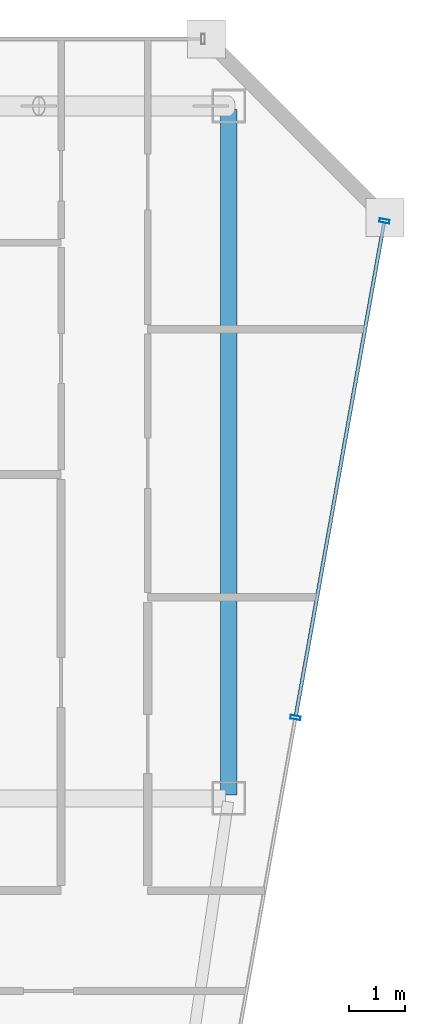
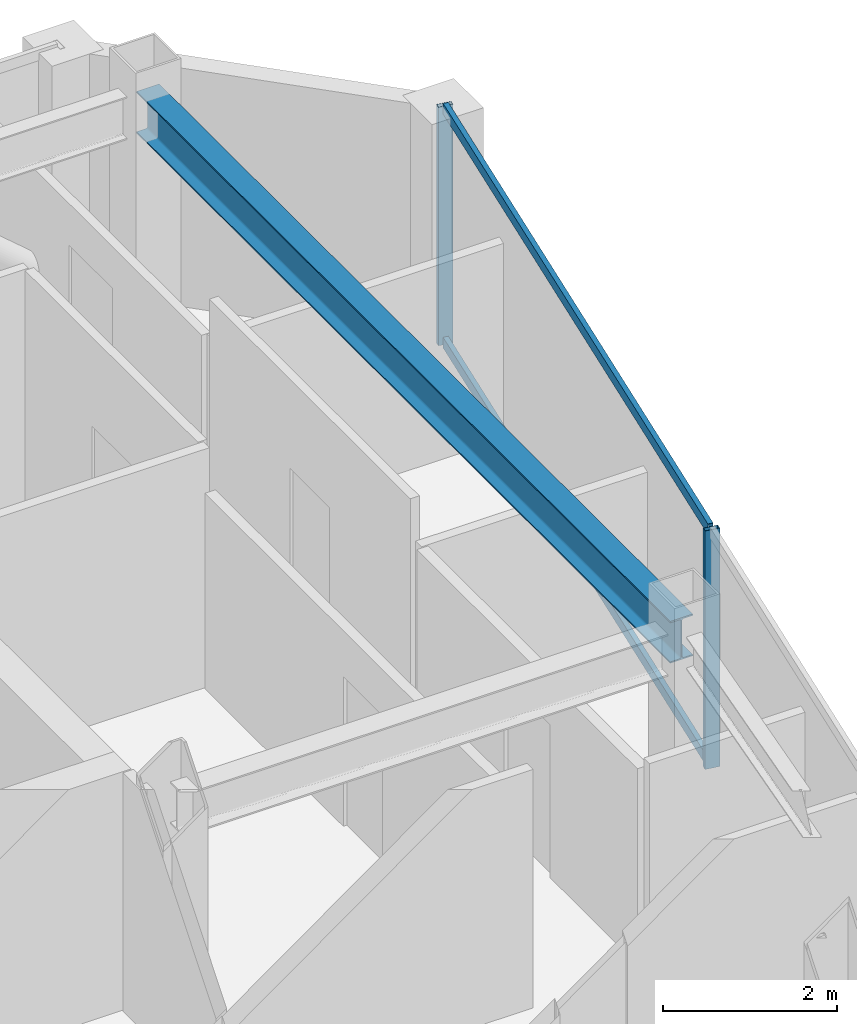
# One storey, part 17 of 30: 4 members, 1 beam, 1 element without a shape of its own.
"""IFC4 building model written with IfcOpenShell, lengths in metres."""

from ifc_helpers import new_model, si_unit, direction, frame, origin, origin_2d, place, context, subcontext, project, spatial, hollow_rectangle, i_section, extrude, material, material_profile, profile_set, type_object, element, aggregate, save


model = new_model("IFC4")

# Units and contexts
model_context = context("Model", 3, precision=1e-05, world=origin(), true_north=direction((0.0, 1.0)))
body_context = subcontext(model_context, "Body", "Model", "MODEL_VIEW")
ifc_project = project(units=[si_unit("LENGTHUNIT", "METRE"), si_unit("AREAUNIT", "SQUARE_METRE"), si_unit("VOLUMEUNIT", "CUBIC_METRE"), si_unit("PLANEANGLEUNIT", "RADIAN"), si_unit("MASSUNIT", "GRAM", prefix="KILO")], contexts=[model_context])

# Site, building, storey
site_placement = place(None, origin())
site = spatial("IfcSite", under=ifc_project, at=site_placement, CompositionType="ELEMENT")
building_placement = place(site_placement, origin())
building = spatial("IfcBuilding", under=site, at=building_placement, Name="Saevonmaru Cultural Tower", CompositionType="ELEMENT")
storey_placement = place(building_placement, frame((0.0, 0.0, 272.39990234375)))
storey = spatial("IfcBuildingStorey", under=building, at=storey_placement, Name="L64", CompositionType="ELEMENT", Elevation=272.39990234375)

# Beam
ifc_material_1 = material(Name="Steel SM355", Category="steel")
ifc_material_profile_1 = material_profile(ifc_material_1, i_section(OverallWidth=0.300048828125, OverallDepth=0.587890625, WebThickness=0.011962890625, FlangeThickness=0.02001953125, FilletRadius=0.02392578125, at=origin_2d()), Name="H-588x300x12x20")
ifc_profile_set_1 = profile_set([ifc_material_profile_1], Name="Steel SM355")
beam_type = type_object("IfcBeamType", Name="BM-G-H588", PredefinedType="BEAM", material=ifc_profile_set_1)
beam_placement = place(storey_placement, frame((53.199951171875, 54.739990234375, 3.05615234375), z_axis=(0.0, -1.0, 0.0), x_axis=(1.0, 0.0, 0.0)))
element("IfcBeam", 1, at=beam_placement, inside=storey, type_object=beam_type, Name="L64 Spine Transverse Girder E", PredefinedType="BEAM", context=body_context, shape_type="SweptSolid", body=[
    extrude(i_section(OverallWidth=0.300048828125, OverallDepth=0.587890625, WebThickness=0.011962890625, FlangeThickness=0.02001953125, FilletRadius=0.02392578125, at=origin_2d()), origin(), (0.0, 0.0, 1.0), 12.280029296875),
])

# Curtain wall, members
ifc_material_2 = material(Name="Satin Bronze Anodised Aluminium", Category="aluminium")
curtain_wall_type = type_object("IfcCurtainWallType", Name="CW-TYP-B", PredefinedType="NOTDEFINED", material=ifc_material_2)
curtain_wall_placement = place(storey_placement, origin())
curtain_wall = element("IfcCurtainWall", 2, at=curtain_wall_placement, inside=storey, type_object=curtain_wall_type, Name="L64 Unitised Curtain Wall E8", PredefinedType="NOTDEFINED")
ifc_material_profile_2 = material_profile(ifc_material_2, hollow_rectangle(XDim=0.06494140625, YDim=0.179931640625, WallThickness=0.00390625, at=origin_2d()), Name="ALU-MULL-180x65x4")
ifc_profile_set_2 = profile_set([ifc_material_profile_2], Name="Satin Bronze Anodised Aluminium")
member_type_1 = type_object("IfcMemberType", Name="ML-CW-180x65", PredefinedType="MULLION", material=ifc_profile_set_2)
member_1_placement = place(storey_placement, frame((54.39794921875, 43.846923828125, 0.0), z_axis=(0.0, 0.0, 1.0), x_axis=(0.176140740755, 0.984364993001, 0.0)))
member_1 = element("IfcMember", 3, at=member_1_placement, type_object=member_type_1, Name="CW-TW-L64-E8 mullion 3", PredefinedType="MULLION", context=body_context, shape_type="SweptSolid", body=[
    extrude(hollow_rectangle(XDim=0.06494140625, YDim=0.179931640625, WallThickness=0.00390625, at=origin_2d()), origin(), (0.0, 0.0, 1.0), 3.35009765625),
])
member_2_placement = place(storey_placement, frame((55.989501953125, 52.740966796875, 0.0), z_axis=(0.0, 0.0, 1.0), x_axis=(0.176140740755, 0.984364993001, 0.0)))
member_2 = element("IfcMember", 4, at=member_2_placement, type_object=member_type_1, Name="CW-TW-L64-E8 mullion 4", PredefinedType="MULLION", context=body_context, shape_type="SweptSolid", body=[
    extrude(hollow_rectangle(XDim=0.06494140625, YDim=0.179931640625, WallThickness=0.00390625, at=origin_2d()), origin(), (0.0, 0.0, 1.0), 3.35009765625),
])
ifc_material_profile_3 = material_profile(ifc_material_2, hollow_rectangle(XDim=0.06494140625, YDim=0.14990234375, WallThickness=0.00390625, at=origin_2d()), Name="ALU-TRAN-150x65x4")
ifc_profile_set_3 = profile_set([ifc_material_profile_3], Name="Satin Bronze Anodised Aluminium")
member_type_2 = type_object("IfcMemberType", Name="TR-CW-150x65", PredefinedType="USERDEFINED", material=ifc_profile_set_3)
member_3_placement = place(storey_placement, frame((54.403564453125, 43.87890625, 0.03271484375), z_axis=(0.176144810911, 0.984364264685, 0.0), x_axis=(-0.984364264685, 0.176144810911, 0.0)))
member_3 = element("IfcMember", 5, at=member_3_placement, type_object=member_type_2, Name="CW-TW-L64-E8 transom 3.1", ObjectType="TRANSOM", PredefinedType="USERDEFINED", context=body_context, shape_type="SweptSolid", body=[
    extrude(hollow_rectangle(XDim=0.06494140625, YDim=0.14990234375, WallThickness=0.00390625, at=origin_2d()), origin(), (0.0, 0.0, 1.0), 8.97021484375),
])
member_4_placement = place(storey_placement, frame((54.403564453125, 43.87890625, 3.317626953125), z_axis=(0.176144810911, 0.984364264685, 0.0), x_axis=(-0.984364264685, 0.176144810911, 0.0)))
member_4 = element("IfcMember", 6, at=member_4_placement, type_object=member_type_2, Name="CW-TW-L64-E8 transom 3.2", ObjectType="TRANSOM", PredefinedType="USERDEFINED", context=body_context, shape_type="SweptSolid", body=[
    extrude(hollow_rectangle(XDim=0.06494140625, YDim=0.14990234375, WallThickness=0.00390625, at=origin_2d()), origin(), (0.0, 0.0, 1.0), 8.97021484375),
])
aggregate(curtain_wall, [member_1, member_2, member_3, member_4])

save(model, "model.ifc")
